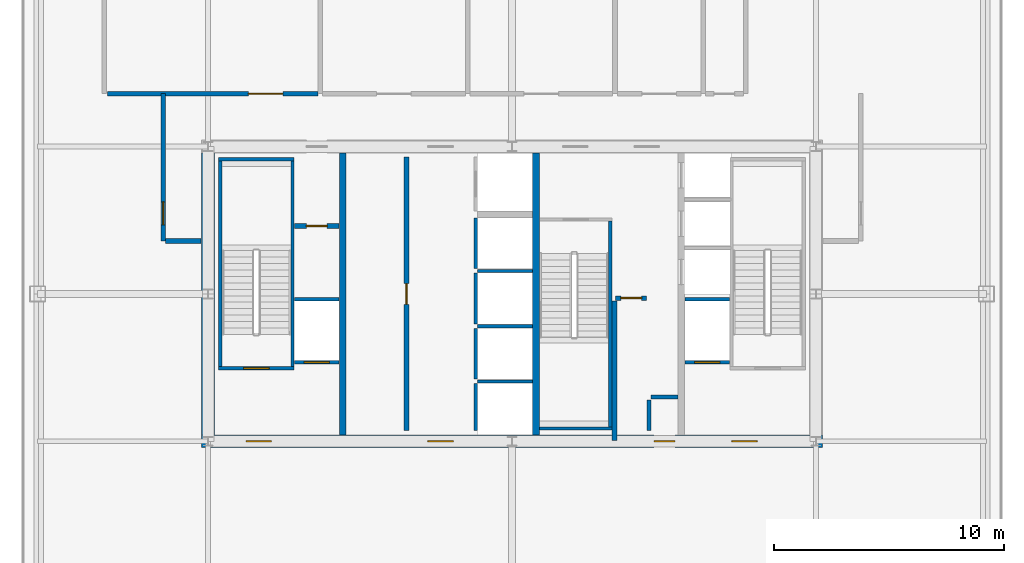
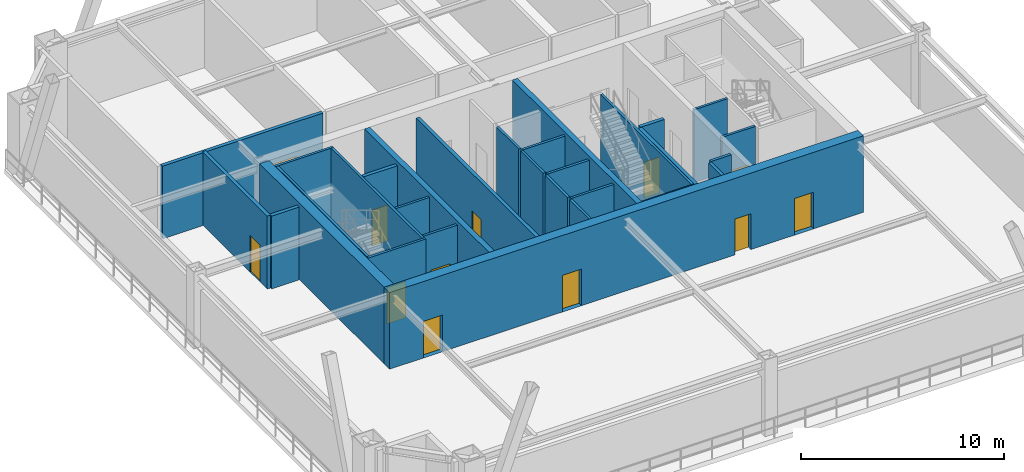
# One storey, part 3 of 8: 30 walls, 12 doors, 12 openings.
"""IFC4 building model written with IfcOpenShell, lengths in metres."""

from ifc_helpers import new_model, si_unit, direction, frame, frame_2d, origin, place, context, subcontext, project, spatial, rectangle, extrude, source, transform, mapped, material, layer, layer_set, type_object, element, fill, save


model = new_model("IFC4")

# Units and contexts
model_context = context("Model", 3, precision=1e-05, world=origin(), true_north=direction((0.0, 1.0)))
body_context = subcontext(model_context, "Body", "Model", "MODEL_VIEW")
ifc_project = project(units=[si_unit("LENGTHUNIT", "METRE"), si_unit("AREAUNIT", "SQUARE_METRE"), si_unit("VOLUMEUNIT", "CUBIC_METRE"), si_unit("PLANEANGLEUNIT", "RADIAN"), si_unit("MASSUNIT", "GRAM", prefix="KILO"), si_unit("THERMODYNAMICTEMPERATUREUNIT", "KELVIN"), si_unit("POWERUNIT", "WATT")], contexts=[model_context])

# Site, building, storey
site_placement = place(None, origin())
site = spatial("IfcSite", under=ifc_project, at=site_placement, CompositionType="ELEMENT")
building_placement = place(site_placement, origin())
building = spatial("IfcBuilding", under=site, at=building_placement, Name="Yuzanri Waterfront Tower", CompositionType="ELEMENT")
storey_placement = place(building_placement, frame((0.0, 0.0, 263.5)))
storey = spatial("IfcBuildingStorey", under=building, at=storey_placement, Name="L70", CompositionType="ELEMENT", Elevation=263.5)

# Wall, openings, doors
ifc_material_1 = material(Name="Concrete C50", Category="concrete")
ifc_layer_1 = layer(ifc_material_1, 0.550048828125)
ifc_layer_set_1 = layer_set([ifc_layer_1], Name="Concrete C50")
wall_type_1 = type_object("IfcWallType", Name="Concrete C50 Upper-Mid Zone Core Shear Wall 550", PredefinedType="SHEAR", material=ifc_layer_set_1)
wall_1_placement = place(storey_placement, frame((23.52490234375, 19.39990234375, 0.0), z_axis=(0.0, 0.0, 1.0), x_axis=(1.0, 0.0, 0.0)))
wall_1 = element("IfcWall", 1, at=wall_1_placement, inside=storey, type_object=wall_type_1, Name="L70 Core South Shear Wall", PredefinedType="SHEAR", context=body_context, shape_type="SweptSolid", body=[
    extrude(rectangle(XDim=26.9501953125, YDim=0.550048828125, at=frame_2d((13.47509765625, 0.0))), origin(), (0.0, 0.0, 1.0), 4.60009765625),
])
opening_1_placement = place(wall_1_placement, frame((1.925048828125, 0.0, 0.0)))
opening_1 = element("IfcOpeningElement", 2, at=opening_1_placement, cuts=wall_1, Name="Opening FD-1100", PredefinedType="OPENING", context=body_context, shape_type="SweptSolid", body=[
    extrude(rectangle(XDim=1.10009765625, YDim=2.199951171875, at=frame_2d((0.550048828125, 1.10009765625))), frame((0.0, 0.2900390625, 0.0), z_axis=(0.0, -1.0, 0.0), x_axis=(1.0, 0.0, 0.0)), (0.0, 0.0, 1.0), 0.579833984375),
])
opening_2_placement = place(wall_1_placement, frame((9.824951171875, 0.0, 0.0)))
opening_2 = element("IfcOpeningElement", 3, at=opening_2_placement, cuts=wall_1, Name="Opening FD-1100", PredefinedType="OPENING", context=body_context, shape_type="SweptSolid", body=[
    extrude(rectangle(XDim=1.10009765625, YDim=2.199951171875, at=frame_2d((0.550048828125, 1.10009765625))), frame((0.0, 0.2900390625, 0.0), z_axis=(0.0, -1.0, 0.0), x_axis=(1.0, 0.0, 0.0)), (0.0, 0.0, 1.0), 0.579833984375),
])
opening_3_placement = place(wall_1_placement, frame((23.02490234375, 0.0, 0.0)))
opening_3 = element("IfcOpeningElement", 4, at=opening_3_placement, cuts=wall_1, Name="Opening FD-1100", PredefinedType="OPENING", context=body_context, shape_type="SweptSolid", body=[
    extrude(rectangle(XDim=1.10009765625, YDim=2.199951171875, at=frame_2d((0.550048828125, 1.10009765625))), frame((0.0, 0.2900390625, 0.0), z_axis=(0.0, -1.0, 0.0), x_axis=(1.0, 0.0, 0.0)), (0.0, 0.0, 1.0), 0.579833984375),
])
opening_4_placement = place(wall_1_placement, frame((19.64501953125, 0.0, 0.0)))
opening_4 = element("IfcOpeningElement", 5, at=opening_4_placement, cuts=wall_1, Name="Opening FD-0900", PredefinedType="OPENING", context=body_context, shape_type="SweptSolid", body=[
    extrude(rectangle(XDim=0.89990234375, YDim=2.14990234375, at=frame_2d((0.449951171875, 1.074951171875))), frame((0.0, 0.2900390625, 0.0), z_axis=(0.0, -1.0, 0.0), x_axis=(1.0, 0.0, 0.0)), (0.0, 0.0, 1.0), 0.579833984375),
])
ifc_material_2 = material(Name="Painted Galvanized Fire Steel", Category="steel")
door_type_1 = type_object("IfcDoorType", Name="Smoke-Proof Stair and Lobby Fire Door 1100x2200", OperationType="NOTDEFINED", PredefinedType="DOOR", material=ifc_material_2)
shared_shape_1 = source(origin(), body_context, "Body", "SweptSolid", [
    extrude(rectangle(XDim=1.10009765625, YDim=2.199951171875, at=frame_2d((0.550048828125, 1.10009765625))), frame((0.0, 0.02490234375, 0.0), z_axis=(0.0, -1.0, 0.0), x_axis=(1.0, 0.0, 0.0)), (0.0, 0.0, 1.0), 0.050048828125),
])
door_1_placement = place(opening_1_placement, origin())
door_1 = element("IfcDoor", 6, at=door_1_placement, inside=storey, type_object=door_type_1, Name="L70 West Firefighting Lobby Door", OperationType="SINGLE_SWING_LEFT", OverallHeight=2.199951171875, OverallWidth=1.10009765625, PredefinedType="DOOR", context=body_context, shape_type="MappedRepresentation", body=[
    mapped(shared_shape_1, transform((0.0, 0.0, 0.0), scale=1.0)),
])
fill(opening_1, door_1)
door_2_placement = place(opening_2_placement, origin())
door_2 = element("IfcDoor", 7, at=door_2_placement, inside=storey, type_object=door_type_1, Name="L70 Central Lift Lobby South Door", OperationType="SINGLE_SWING_RIGHT", OverallHeight=2.199951171875, OverallWidth=1.10009765625, PredefinedType="DOOR", context=body_context, shape_type="MappedRepresentation", body=[
    mapped(shared_shape_1, transform((0.0, 0.0, 0.0), scale=1.0)),
])
fill(opening_2, door_2)
door_3_placement = place(opening_3_placement, origin())
door_3 = element("IfcDoor", 8, at=door_3_placement, inside=storey, type_object=door_type_1, Name="L70 East Firefighting Lobby Door", OperationType="SINGLE_SWING_LEFT", OverallHeight=2.199951171875, OverallWidth=1.10009765625, PredefinedType="DOOR", context=body_context, shape_type="MappedRepresentation", body=[
    mapped(shared_shape_1, transform((0.0, 0.0, 0.0), scale=1.0)),
])
fill(opening_3, door_3)
ifc_material_3 = material(Name="Painted Galvanized Fire Steel", Category="steel")
door_type_2 = type_object("IfcDoorType", Name="Riser and Service Room Fire Door 900x2150", OperationType="NOTDEFINED", PredefinedType="DOOR", material=ifc_material_3)
shared_shape_2 = source(origin(), body_context, "Body", "SweptSolid", [
    extrude(rectangle(XDim=0.89990234375, YDim=2.14990234375, at=frame_2d((0.449951171875, 1.074951171875))), frame((0.0, 0.02490234375, 0.0), z_axis=(0.0, -1.0, 0.0), x_axis=(1.0, 0.0, 0.0)), (0.0, 0.0, 1.0), 0.050048828125),
])
door_4_placement = place(opening_4_placement, origin())
door_4 = element("IfcDoor", 9, at=door_4_placement, inside=storey, type_object=door_type_2, Name="L70 East Wet Riser Door", OperationType="SINGLE_SWING_RIGHT", OverallHeight=2.14990234375, OverallWidth=0.89990234375, PredefinedType="DOOR", context=body_context, shape_type="MappedRepresentation", body=[
    mapped(shared_shape_2, transform((0.0, 0.0, 0.0), scale=1.0)),
])
fill(opening_4, door_4)

# Wall, opening, door
ifc_material_4 = material(Name="Concrete C40", Category="concrete")
ifc_layer_2 = layer(ifc_material_4, 0.139892578125)
ifc_layer_set_2 = layer_set([ifc_layer_2], Name="Concrete C40")
wall_type_2 = type_object("IfcWallType", Name="Core Stair Liner and Hoistway Shaft Wall 140", PredefinedType="SOLIDWALL", material=ifc_layer_set_2)
wall_2_placement = place(storey_placement, frame((27.56005859375, 22.830078125, 0.0), z_axis=(0.0, 0.0, 1.0), x_axis=(1.0, 0.0, 0.0)))
wall_2 = element("IfcWall", 10, at=wall_2_placement, inside=storey, type_object=wall_type_2, Name="L70 Lift FL-01 Front Shaft Wall", PredefinedType="SOLIDWALL", context=body_context, shape_type="SweptSolid", body=[
    extrude(rectangle(XDim=1.919921875, YDim=0.139892578125, at=frame_2d((0.9599609375, 0.0))), origin(), (0.0, 0.0, 1.0), 4.3798828125),
])
opening_5_placement = place(wall_2_placement, frame((0.409912109375, 0.0, 0.0)))
opening_5 = element("IfcOpeningElement", 11, at=opening_5_placement, cuts=wall_2, Name="Opening LD-FL-01", PredefinedType="OPENING", context=body_context, shape_type="SweptSolid", body=[
    extrude(rectangle(XDim=1.10009765625, YDim=2.199951171875, at=frame_2d((0.550048828125, 1.10009765625))), frame((0.0, 0.0849609375, 0.0), z_axis=(0.0, -1.0, 0.0), x_axis=(1.0, 0.0, 0.0)), (0.0, 0.0, 1.0), 0.169677734375),
])
ifc_material_5 = material(Name="Brushed Bronze and Stainless Steel Cab", Category="steel")
door_type_3 = type_object("IfcDoorType", Name="Center-Parting Bronze Lift Landing Sliding Door 1100x2200", OperationType="NOTDEFINED", PredefinedType="DOOR", material=ifc_material_5)
shared_shape_3 = source(origin(), body_context, "Body", "SweptSolid", [
    extrude(rectangle(XDim=1.10009765625, YDim=2.199951171875, at=frame_2d((0.550048828125, 1.10009765625))), frame((0.0, 0.02490234375, 0.0), z_axis=(0.0, -1.0, 0.0), x_axis=(1.0, 0.0, 0.0)), (0.0, 0.0, 1.0), 0.050048828125),
])
door_5_placement = place(opening_5_placement, origin())
door_5 = element("IfcDoor", 12, at=door_5_placement, inside=storey, type_object=door_type_3, Name="L70 FL-01 Lift Landing Sliding Door", OperationType="SLIDING_TO_LEFT", OverallHeight=2.199951171875, OverallWidth=1.10009765625, PredefinedType="DOOR", context=body_context, shape_type="MappedRepresentation", body=[
    mapped(shared_shape_3, transform((0.0, 0.0, 0.0), scale=1.0)),
])
fill(opening_5, door_5)

wall_3_placement = place(storey_placement, frame((44.52001953125, 22.830078125, 0.0), z_axis=(0.0, 0.0, 1.0), x_axis=(1.0, 0.0, 0.0)))
wall_3 = element("IfcWall", 13, at=wall_3_placement, inside=storey, type_object=wall_type_2, Name="L70 Lift FL-02 Front Shaft Wall", PredefinedType="SOLIDWALL", context=body_context, shape_type="SweptSolid", body=[
    extrude(rectangle(XDim=1.919921875, YDim=0.139892578125, at=frame_2d((0.9599609375, 0.0))), origin(), (0.0, 0.0, 1.0), 4.3798828125),
])
opening_6_placement = place(wall_3_placement, frame((0.409912109375, 0.0, 0.0)))
opening_6 = element("IfcOpeningElement", 14, at=opening_6_placement, cuts=wall_3, Name="Opening LD-FL-02", PredefinedType="OPENING", context=body_context, shape_type="SweptSolid", body=[
    extrude(rectangle(XDim=1.10009765625, YDim=2.199951171875, at=frame_2d((0.550048828125, 1.10009765625))), frame((0.0, 0.0849609375, 0.0), z_axis=(0.0, -1.0, 0.0), x_axis=(1.0, 0.0, 0.0)), (0.0, 0.0, 1.0), 0.169677734375),
])
door_6_placement = place(opening_6_placement, origin())
door_6 = element("IfcDoor", 15, at=door_6_placement, inside=storey, type_object=door_type_3, Name="L70 FL-02 Lift Landing Sliding Door", OperationType="SLIDING_TO_RIGHT", OverallHeight=2.199951171875, OverallWidth=1.10009765625, PredefinedType="DOOR", context=body_context, shape_type="MappedRepresentation", body=[
    mapped(shared_shape_3, transform((0.0, 0.0, 0.0), scale=1.0)),
])
fill(opening_6, door_6)

wall_4_placement = place(storey_placement, frame((24.260009765625, 22.570068359375, 0.0), z_axis=(0.0, 0.0, 1.0), x_axis=(1.0, 0.0, 0.0)))
wall_4 = element("IfcWall", 16, at=wall_4_placement, inside=storey, type_object=wall_type_2, Name="L70 Shaft Wall STW-L70-ST-01-S", PredefinedType="SOLIDWALL", context=body_context, shape_type="SweptSolid", body=[
    extrude(rectangle(XDim=3.280029296875, YDim=0.139892578125, at=frame_2d((1.64013671875, 0.0))), origin(), (0.0, 0.0, 1.0), 4.3798828125),
])
opening_7_placement = place(wall_4_placement, frame((1.090087890625, 0.0, 0.0)))
opening_7 = element("IfcOpeningElement", 17, at=opening_7_placement, cuts=wall_4, Name="Opening FD-1100", PredefinedType="OPENING", context=body_context, shape_type="SweptSolid", body=[
    extrude(rectangle(XDim=1.10009765625, YDim=2.199951171875, at=frame_2d((0.550048828125, 1.10009765625))), frame((0.0, 0.0849609375, 0.0), z_axis=(0.0, -1.0, 0.0), x_axis=(1.0, 0.0, 0.0)), (0.0, 0.0, 1.0), 0.169677734375),
])
door_7_placement = place(opening_7_placement, origin())
door_7 = element("IfcDoor", 18, at=door_7_placement, inside=storey, type_object=door_type_1, Name="L70 Stair ST-01 Fire Door", OperationType="SINGLE_SWING_RIGHT", OverallHeight=2.199951171875, OverallWidth=1.10009765625, PredefinedType="DOOR", context=body_context, shape_type="MappedRepresentation", body=[
    mapped(shared_shape_1, transform((0.0, 0.0, 0.0), scale=1.0)),
])
fill(opening_7, door_7)

ifc_material_6 = material(Name="Autoclaved Aerated Concrete Blockwork", Category="masonry")
ifc_layer_3 = layer(ifc_material_6, 0.199951171875)
ifc_layer_set_3 = layer_set([ifc_layer_3], Name="Autoclaved Aerated Concrete Blockwork")
wall_type_3 = type_object("IfcWallType", Name="Corridor and Unit Party Fire Wall 200", PredefinedType="PARTITIONING", material=ifc_layer_set_3)
wall_5_placement = place(storey_placement, frame((27.56005859375, 28.75, 0.0), z_axis=(0.0, 0.0, 1.0), x_axis=(1.0, 0.0, 0.0)))
wall_5 = element("IfcWall", 19, at=wall_5_placement, inside=storey, type_object=wall_type_3, Name="L70 Partition CRW-L70-ERTR", PredefinedType="PARTITIONING", context=body_context, shape_type="SweptSolid", body=[
    extrude(rectangle(XDim=1.919921875, YDim=0.199951171875, at=frame_2d((0.9599609375, 0.0))), origin(), (0.0, 0.0, 1.0), 4.3798828125),
])
opening_8_placement = place(wall_5_placement, frame((0.510009765625, 0.0, 0.0)))
opening_8 = element("IfcOpeningElement", 20, at=opening_8_placement, cuts=wall_5, Name="Opening FD-0900", PredefinedType="OPENING", context=body_context, shape_type="SweptSolid", body=[
    extrude(rectangle(XDim=0.89990234375, YDim=2.14990234375, at=frame_2d((0.449951171875, 1.074951171875))), frame((0.0, 0.11474609375, 0.0), z_axis=(0.0, -1.0, 0.0), x_axis=(1.0, 0.0, 0.0)), (0.0, 0.0, 1.0), 0.229736328125),
])
door_8_placement = place(opening_8_placement, origin())
door_8 = element("IfcDoor", 21, at=door_8_placement, inside=storey, type_object=door_type_2, Name="L70 Electrical Riser Door", OperationType="SINGLE_SWING_RIGHT", OverallHeight=2.14990234375, OverallWidth=0.89990234375, PredefinedType="DOOR", context=body_context, shape_type="MappedRepresentation", body=[
    mapped(shared_shape_2, transform((0.0, 0.0, 0.0), scale=1.0)),
])
fill(opening_8, door_8)

wall_6_placement = place(storey_placement, frame((32.419921875, 19.860107421875, 0.0), z_axis=(0.0, 0.0, 1.0), x_axis=(0.0, 1.0, 0.0)))
wall_6 = element("IfcWall", 22, at=wall_6_placement, inside=storey, type_object=wall_type_3, Name="L70 Partition CRW-L70-B1R-1", PredefinedType="PARTITIONING", context=body_context, shape_type="SweptSolid", body=[
    extrude(rectangle(XDim=11.8798828125, YDim=0.199951171875, at=frame_2d((5.93994140625, 0.0))), origin(), (0.0, 0.0, 1.0), 4.3798828125),
])
opening_9_placement = place(wall_6_placement, frame((5.489990234375, 0.0, 0.0)))
opening_9 = element("IfcOpeningElement", 23, at=opening_9_placement, cuts=wall_6, Name="Opening FD-0900", PredefinedType="OPENING", context=body_context, shape_type="SweptSolid", body=[
    extrude(rectangle(XDim=0.89990234375, YDim=2.14990234375, at=frame_2d((0.449951171875, 1.074951171875))), frame((0.0, 0.11474609375, 0.0), z_axis=(0.0, -1.0, 0.0), x_axis=(1.0, 0.0, 0.0)), (0.0, 0.0, 1.0), 0.229736328125),
])
door_9_placement = place(opening_9_placement, origin())
door_9 = element("IfcDoor", 24, at=door_9_placement, inside=storey, type_object=door_type_2, Name="L70 Plant Room", OperationType="SINGLE_SWING_LEFT", OverallHeight=2.14990234375, OverallWidth=0.89990234375, PredefinedType="DOOR", context=body_context, shape_type="MappedRepresentation", body=[
    mapped(shared_shape_2, transform((0.0, 0.0, 0.0), scale=1.0)),
])
fill(opening_9, door_9)

wall_7_placement = place(storey_placement, frame((41.5, 25.6201171875, 0.0), z_axis=(0.0, 0.0, 1.0), x_axis=(1.0, 0.0, 0.0)))
wall_7 = element("IfcWall", 25, at=wall_7_placement, inside=storey, type_object=wall_type_3, Name="L70 Partition CRW-L70-BOHH-1", PredefinedType="PARTITIONING", context=body_context, shape_type="SweptSolid", body=[
    extrude(rectangle(XDim=1.35009765625, YDim=0.199951171875, at=frame_2d((0.675048828125, 0.0))), origin(), (0.0, 0.0, 1.0), 4.3798828125),
])
opening_10_placement = place(wall_7_placement, frame((0.22998046875, 0.0, 0.0)))
opening_10 = element("IfcOpeningElement", 26, at=opening_10_placement, cuts=wall_7, Name="Opening FD-0900", PredefinedType="OPENING", context=body_context, shape_type="SweptSolid", body=[
    extrude(rectangle(XDim=0.89990234375, YDim=2.14990234375, at=frame_2d((0.449951171875, 1.074951171875))), frame((0.0, 0.11474609375, 0.0), z_axis=(0.0, -1.0, 0.0), x_axis=(1.0, 0.0, 0.0)), (0.0, 0.0, 1.0), 0.229736328125),
])
door_10_placement = place(opening_10_placement, origin())
door_10 = element("IfcDoor", 27, at=door_10_placement, inside=storey, type_object=door_type_2, Name="L70 Refuge Mechanical Equipment Store Room", OperationType="SINGLE_SWING_LEFT", OverallHeight=2.14990234375, OverallWidth=0.89990234375, PredefinedType="DOOR", context=body_context, shape_type="MappedRepresentation", body=[
    mapped(shared_shape_2, transform((0.0, 0.0, 0.0), scale=1.0)),
])
fill(opening_10, door_10)

wall_8_placement = place(storey_placement, frame((21.85009765625, 28.10009765625, 0.0), z_axis=(0.0, 0.0, 1.0), x_axis=(0.0, 1.0, 0.0)))
wall_8 = element("IfcWall", 28, at=wall_8_placement, inside=storey, type_object=wall_type_3, Name="L70 Partition RFW-L70-CW", PredefinedType="PARTITIONING", context=body_context, shape_type="SweptSolid", body=[
    extrude(rectangle(XDim=6.39990234375, YDim=0.199951171875, at=frame_2d((3.199951171875, 0.0))), origin(), (0.0, 0.0, 1.0), 4.3798828125),
])
opening_11_placement = place(wall_8_placement, frame((0.699951171875, 0.0, 0.0)))
opening_11 = element("IfcOpeningElement", 29, at=opening_11_placement, cuts=wall_8, Name="Opening TD-1000", PredefinedType="OPENING", context=body_context, shape_type="SweptSolid", body=[
    extrude(rectangle(XDim=1.0, YDim=2.199951171875, at=frame_2d((0.5, 1.10009765625))), frame((0.0, 0.11474609375, 0.0), z_axis=(0.0, -1.0, 0.0), x_axis=(1.0, 0.0, 0.0)), (0.0, 0.0, 1.0), 0.229736328125),
])
ifc_material_7 = material(Name="Anodized Architectural Bronze", Category="metal")
door_type_4 = type_object("IfcDoorType", Name="Anodized Bronze Refuge Deck Weatherproof Exit Door 1000x2200", OperationType="NOTDEFINED", PredefinedType="DOOR", material=ifc_material_7)
shared_shape_4 = source(origin(), body_context, "Body", "SweptSolid", [
    extrude(rectangle(XDim=1.0, YDim=2.199951171875, at=frame_2d((0.5, 1.10009765625))), frame((0.0, 0.02490234375, 0.0), z_axis=(0.0, -1.0, 0.0), x_axis=(1.0, 0.0, 0.0)), (0.0, 0.0, 1.0), 0.050048828125),
])
door_11_placement = place(opening_11_placement, origin())
door_11 = element("IfcDoor", 30, at=door_11_placement, inside=storey, type_object=door_type_4, Name="L70 West Refuge Deck Exit Door", OperationType="SINGLE_SWING_RIGHT", OverallHeight=2.199951171875, OverallWidth=1.0, PredefinedType="DOOR", context=body_context, shape_type="MappedRepresentation", body=[
    mapped(shared_shape_4, transform((0.0, 0.0, 0.0), scale=1.0)),
])
fill(opening_11, door_11)

wall_9_placement = place(storey_placement, frame((19.43994140625, 34.5, 0.0), z_axis=(0.0, 0.0, 1.0), x_axis=(1.0, 0.0, 0.0)))
wall_9 = element("IfcWall", 31, at=wall_9_placement, inside=storey, type_object=wall_type_3, Name="L70 Partition RFW-L70-018-S", PredefinedType="PARTITIONING", context=body_context, shape_type="SweptSolid", body=[
    extrude(rectangle(XDim=9.131103515625, YDim=0.199951171875, at=frame_2d((4.5654296875, 0.0))), origin(), (0.0, 0.0, 1.0), 4.3798828125),
])
opening_12_placement = place(wall_9_placement, frame((6.110107421875, 0.0, 0.0)))
opening_12 = element("IfcOpeningElement", 32, at=opening_12_placement, cuts=wall_9, Name="Opening FD-1500", PredefinedType="OPENING", context=body_context, shape_type="SweptSolid", body=[
    extrude(rectangle(XDim=1.5, YDim=2.300048828125, at=frame_2d((0.75, 1.14990234375))), frame((0.0, 0.11474609375, 0.0), z_axis=(0.0, -1.0, 0.0), x_axis=(1.0, 0.0, 0.0)), (0.0, 0.0, 1.0), 0.229736328125),
])
ifc_material_8 = material(Name="Painted Galvanized Fire Steel", Category="steel")
door_type_5 = type_object("IfcDoorType", Name="Plant and Ballroom Double Fire Door 1500x2300", OperationType="NOTDEFINED", PredefinedType="DOOR", material=ifc_material_8)
shared_shape_5 = source(origin(), body_context, "Body", "SweptSolid", [
    extrude(rectangle(XDim=1.5, YDim=2.300048828125, at=frame_2d((0.75, 1.14990234375))), frame((0.0, 0.02490234375, 0.0), z_axis=(0.0, -1.0, 0.0), x_axis=(1.0, 0.0, 0.0)), (0.0, 0.0, 1.0), 0.050048828125),
])
door_12_placement = place(opening_12_placement, origin())
door_12 = element("IfcDoor", 33, at=door_12_placement, inside=storey, type_object=door_type_5, Name="L70 Air-Handling Plant Room", OperationType="DOUBLE_DOOR_SINGLE_SWING", OverallHeight=2.300048828125, OverallWidth=1.5, PredefinedType="DOOR", context=body_context, shape_type="MappedRepresentation", body=[
    mapped(shared_shape_5, transform((0.0, 0.0, 0.0), scale=1.0)),
])
fill(opening_12, door_12)

# Walls
shared_shape_6 = source(origin(), body_context, "Body", "SweptSolid", [
    extrude(rectangle(XDim=12.25, YDim=0.550048828125, at=frame_2d((6.125, 0.0))), origin(), (0.0, 0.0, 1.0), 4.60009765625),
])
wall_10_placement = place(storey_placement, frame((23.800048828125, 19.675048828125, 0.0), z_axis=(0.0, 0.0, 1.0), x_axis=(0.0, 1.0, 0.0)))
element("IfcWall", 34, at=wall_10_placement, inside=storey, type_object=wall_type_1, Name="L70 Core West Shear Wall", PredefinedType="SHEAR", context=body_context, shape_type="MappedRepresentation", body=[
    mapped(shared_shape_6, transform((0.0, 0.0, 0.0), scale=1.0)),
])
ifc_material_9 = material(Name="Concrete C50", Category="concrete")
ifc_layer_4 = layer(ifc_material_9, 0.300048828125)
ifc_layer_set_4 = layer_set([ifc_layer_4], Name="Concrete C50")
wall_type_4 = type_object("IfcWallType", Name="Concrete C50 Internal Core Shaft Structural Wall 300", PredefinedType="SOLIDWALL", material=ifc_layer_set_4)
shared_shape_7 = source(origin(), body_context, "Body", "SweptSolid", [
    extrude(rectangle(XDim=12.25, YDim=0.300048828125, at=frame_2d((6.125, 0.0))), origin(), (0.0, 0.0, 1.0), 4.60009765625),
])
for number, where, z_axis, x_axis, name in (
    (35, (29.64990234375, 19.675048828125, 0.0), (0.0, 0.0, 1.0), (0.0, 1.0, 0.0), "L70 Core Internal Structural Web Wall 1"),
    (36, (38.050048828125, 19.675048828125, 0.0), (0.0, 0.0, 1.0), (0.0, 1.0, 0.0), "L70 Core Internal Structural Web Wall 2"),
):
    element("IfcWall", number, at=place(storey_placement, frame(where, z_axis=z_axis, x_axis=x_axis)), inside=storey, type_object=wall_type_4, Name=name, PredefinedType="SOLIDWALL", context=body_context, shape_type="MappedRepresentation", body=[
        mapped(shared_shape_7, transform((0.0, 0.0, 0.0), scale=1.0)),
    ])
shared_shape_8 = source(origin(), body_context, "Body", "SweptSolid", [
    extrude(rectangle(XDim=1.919921875, YDim=0.139892578125, at=frame_2d((0.9599609375, 0.0))), origin(), (0.0, 0.0, 1.0), 4.3798828125),
])
for number, where, z_axis, x_axis, name in (
    (37, (27.56005859375, 25.570068359375, 0.0), (0.0, 0.0, 1.0), (1.0, 0.0, 0.0), "L70 Lift FL-01 Back Shaft Wall"),
    (38, (44.52001953125, 25.570068359375, 0.0), (0.0, 0.0, 1.0), (1.0, 0.0, 0.0), "L70 Lift FL-02 Back Shaft Wall"),
):
    element("IfcWall", number, at=place(storey_placement, frame(where, z_axis=z_axis, x_axis=x_axis)), inside=storey, type_object=wall_type_2, Name=name, PredefinedType="SOLIDWALL", context=body_context, shape_type="MappedRepresentation", body=[
        mapped(shared_shape_8, transform((0.0, 0.0, 0.0), scale=1.0)),
    ])
shared_shape_9 = source(origin(), body_context, "Body", "SweptSolid", [
    extrude(rectangle(XDim=2.039794921875, YDim=0.139892578125, at=frame_2d((1.02001953125, 0.0))), origin(), (0.0, 0.0, 1.0), 4.3798828125),
])
wall_11_placement = place(storey_placement, frame((35.429931640625, 19.860107421875, 0.0), z_axis=(0.0, 0.0, 1.0), x_axis=(0.0, 1.0, 0.0)))
element("IfcWall", 39, at=wall_11_placement, inside=storey, type_object=wall_type_2, Name="L70 Lift PL-05 Front Shaft Wall", PredefinedType="SOLIDWALL", context=body_context, shape_type="MappedRepresentation", body=[
    mapped(shared_shape_9, transform((0.0, 0.0, 0.0), scale=1.0)),
])
shared_shape_10 = source(origin(), body_context, "Body", "SweptSolid", [
    extrude(rectangle(XDim=2.39990234375, YDim=0.139892578125, at=frame_2d((1.199951171875, 0.0))), origin(), (0.0, 0.0, 1.0), 4.3798828125),
])
for number, where, z_axis, x_axis, name in (
    (40, (35.5, 22.0, 0.0), (0.0, 0.0, 1.0), (1.0, 0.0, 0.0), "L70 Lift PL-05 Divider Wall"),
    (41, (35.5, 24.39990234375, 0.0), (0.0, 0.0, 1.0), (1.0, 0.0, 0.0), "L70 Lift PL-06 Divider Wall"),
    (42, (35.5, 26.800048828125, 0.0), (0.0, 0.0, 1.0), (1.0, 0.0, 0.0), "L70 Lift PL-07 Divider Wall"),
):
    element("IfcWall", number, at=place(storey_placement, frame(where, z_axis=z_axis, x_axis=x_axis)), inside=storey, type_object=wall_type_2, Name=name, PredefinedType="SOLIDWALL", context=body_context, shape_type="MappedRepresentation", body=[
        mapped(shared_shape_10, transform((0.0, 0.0, 0.0), scale=1.0)),
    ])
shared_shape_11 = source(origin(), body_context, "Body", "SweptSolid", [
    extrude(rectangle(XDim=2.199951171875, YDim=0.139892578125, at=frame_2d((1.10009765625, 0.0))), origin(), (0.0, 0.0, 1.0), 4.3798828125),
])
for number, where, z_axis, x_axis, name in (
    (43, (35.429931640625, 22.10009765625, 0.0), (0.0, 0.0, 1.0), (0.0, 1.0, 0.0), "L70 Lift PL-06 Front Shaft Wall"),
    (44, (35.429931640625, 24.5, 0.0), (0.0, 0.0, 1.0), (0.0, 1.0, 0.0), "L70 Lift PL-07 Front Shaft Wall"),
):
    element("IfcWall", number, at=place(storey_placement, frame(where, z_axis=z_axis, x_axis=x_axis)), inside=storey, type_object=wall_type_2, Name=name, PredefinedType="SOLIDWALL", context=body_context, shape_type="MappedRepresentation", body=[
        mapped(shared_shape_11, transform((0.0, 0.0, 0.0), scale=1.0)),
    ])
shared_shape_12 = source(origin(), body_context, "Body", "SweptSolid", [
    extrude(rectangle(XDim=2.2001953125, YDim=0.139892578125, at=frame_2d((1.10009765625, 0.0))), origin(), (0.0, 0.0, 1.0), 4.3798828125),
])
wall_12_placement = place(storey_placement, frame((35.429931640625, 26.89990234375, 0.0), z_axis=(0.0, 0.0, 1.0), x_axis=(0.0, 1.0, 0.0)))
element("IfcWall", 45, at=wall_12_placement, inside=storey, type_object=wall_type_2, Name="L70 Lift PL-08 Front Shaft Wall", PredefinedType="SOLIDWALL", context=body_context, shape_type="MappedRepresentation", body=[
    mapped(shared_shape_12, transform((0.0, 0.0, 0.0), scale=1.0)),
])
shared_shape_13 = source(origin(), body_context, "Body", "SweptSolid", [
    extrude(rectangle(XDim=3.280029296875, YDim=0.139892578125, at=frame_2d((1.64013671875, 0.0))), origin(), (0.0, 0.0, 1.0), 4.3798828125),
])
wall_13_placement = place(storey_placement, frame((24.260009765625, 31.64990234375, 0.0), z_axis=(0.0, 0.0, 1.0), x_axis=(1.0, 0.0, 0.0)))
element("IfcWall", 46, at=wall_13_placement, inside=storey, type_object=wall_type_2, Name="L70 Stair ST-01 North Shaft Wall", PredefinedType="SOLIDWALL", context=body_context, shape_type="MappedRepresentation", body=[
    mapped(shared_shape_13, transform((0.0, 0.0, 0.0), scale=1.0)),
])
shared_shape_14 = source(origin(), body_context, "Body", "SweptSolid", [
    extrude(rectangle(XDim=8.940185546875, YDim=0.139892578125, at=frame_2d((4.47021484375, 0.0))), origin(), (0.0, 0.0, 1.0), 4.3798828125),
])
for number, where, z_axis, x_axis, name in (
    (47, (24.330078125, 22.639892578125, 0.0), (0.0, 0.0, 1.0), (0.0, 1.0, 0.0), "L70 Stair ST-01 West Shaft Wall"),
    (48, (27.469970703125, 22.639892578125, 0.0), (0.0, 0.0, 1.0), (0.0, 1.0, 0.0), "L70 Stair ST-01 East Shaft Wall"),
):
    element("IfcWall", number, at=place(storey_placement, frame(where, z_axis=z_axis, x_axis=x_axis)), inside=storey, type_object=wall_type_2, Name=name, PredefinedType="SOLIDWALL", context=body_context, shape_type="MappedRepresentation", body=[
        mapped(shared_shape_14, transform((0.0, 0.0, 0.0), scale=1.0)),
    ])
shared_shape_15 = source(origin(), body_context, "Body", "SweptSolid", [
    extrude(rectangle(XDim=3.14013671875, YDim=0.139892578125, at=frame_2d((1.570068359375, 0.0))), origin(), (0.0, 0.0, 1.0), 4.3798828125),
])
wall_14_placement = place(storey_placement, frame((38.199951171875, 19.949951171875, 0.0), z_axis=(0.0, 0.0, 1.0), x_axis=(1.0, 0.0, 0.0)))
element("IfcWall", 49, at=wall_14_placement, inside=storey, type_object=wall_type_2, Name="L70 Stair ST-03 South Shaft Wall", PredefinedType="SOLIDWALL", context=body_context, shape_type="MappedRepresentation", body=[
    mapped(shared_shape_15, transform((0.0, 0.0, 0.0), scale=1.0)),
])
shared_shape_16 = source(origin(), body_context, "Body", "SweptSolid", [
    extrude(rectangle(XDim=8.93994140625, YDim=0.139892578125, at=frame_2d((4.469970703125, 0.0))), origin(), (0.0, 0.0, 1.0), 4.3798828125),
])
wall_15_placement = place(storey_placement, frame((41.27001953125, 20.02001953125, 0.0), z_axis=(0.0, 0.0, 1.0), x_axis=(0.0, 1.0, 0.0)))
element("IfcWall", 50, at=wall_15_placement, inside=storey, type_object=wall_type_2, Name="L70 Stair ST-03 East Shaft Wall", PredefinedType="SOLIDWALL", context=body_context, shape_type="MappedRepresentation", body=[
    mapped(shared_shape_16, transform((0.0, 0.0, 0.0), scale=1.0)),
])
ifc_material_10 = material(Name="Gypsum Fireboard Acoustic Stud Wall", Category="gypsum")
ifc_layer_5 = layer(ifc_material_10, 0.159912109375)
ifc_layer_set_5 = layer_set([ifc_layer_5], Name="Gypsum Fireboard Acoustic Stud Wall")
wall_type_5 = type_object("IfcWallType", Name="Acoustic Suite Demising Partition 160", PredefinedType="PARTITIONING", material=ifc_layer_set_5)
shared_shape_17 = source(origin(), body_context, "Body", "SweptSolid", [
    extrude(rectangle(XDim=1.33984375, YDim=0.159912109375, at=frame_2d((0.669921875, 0.0))), origin(), (0.0, 0.0, 1.0), 4.3798828125),
])
wall_16_placement = place(storey_placement, frame((42.949951171875, 19.860107421875, 0.0), z_axis=(0.0, 0.0, 1.0), x_axis=(0.0, 1.0, 0.0)))
element("IfcWall", 51, at=wall_16_placement, inside=storey, type_object=wall_type_5, Name="L70 East Wet Riser West Wall", PredefinedType="PARTITIONING", context=body_context, shape_type="MappedRepresentation", body=[
    mapped(shared_shape_17, transform((0.0, 0.0, 0.0), scale=1.0)),
])
shared_shape_18 = source(origin(), body_context, "Body", "SweptSolid", [
    extrude(rectangle(XDim=1.169921875, YDim=0.159912109375, at=frame_2d((0.5849609375, 0.0))), origin(), (0.0, 0.0, 1.0), 4.3798828125),
])
wall_17_placement = place(storey_placement, frame((43.030029296875, 21.320068359375, 0.0), z_axis=(0.0, 0.0, 1.0), x_axis=(1.0, 0.0, 0.0)))
element("IfcWall", 52, at=wall_17_placement, inside=storey, type_object=wall_type_5, Name="L70 East Wet Riser North Wall", PredefinedType="PARTITIONING", context=body_context, shape_type="MappedRepresentation", body=[
    mapped(shared_shape_18, transform((0.0, 0.0, 0.0), scale=1.0)),
])
shared_shape_19 = source(origin(), body_context, "Body", "SweptSolid", [
    extrude(rectangle(XDim=1.554931640625, YDim=0.199951171875, at=frame_2d((0.77734375, 0.0))), origin(), (0.0, 0.0, 1.0), 4.3798828125),
])
wall_18_placement = place(storey_placement, frame((21.949951171875, 28.10009765625, 0.0), z_axis=(0.0, 0.0, 1.0), x_axis=(1.0, 0.0, 0.0)))
element("IfcWall", 53, at=wall_18_placement, inside=storey, type_object=wall_type_3, Name="L70 West Refuge Vestibule South Wall", PredefinedType="PARTITIONING", context=body_context, shape_type="MappedRepresentation", body=[
    mapped(shared_shape_19, transform((0.0, 0.0, 0.0), scale=1.0)),
])
shared_shape_20 = source(origin(), body_context, "Body", "SweptSolid", [
    extrude(rectangle(XDim=6.06005859375, YDim=0.199951171875, at=frame_2d((3.030029296875, 0.0))), origin(), (0.0, 0.0, 1.0), 4.3798828125),
])
wall_19_placement = place(storey_placement, frame((41.449951171875, 19.43994140625, 0.0), z_axis=(0.0, 0.0, 1.0), x_axis=(0.0, 1.0, 0.0)))
element("IfcWall", 54, at=wall_19_placement, inside=storey, type_object=wall_type_3, Name="L70 Core BOH West Wall 1", PredefinedType="PARTITIONING", context=body_context, shape_type="MappedRepresentation", body=[
    mapped(shared_shape_20, transform((0.0, 0.0, 0.0), scale=1.0)),
])

save(model, "model.ifc")
